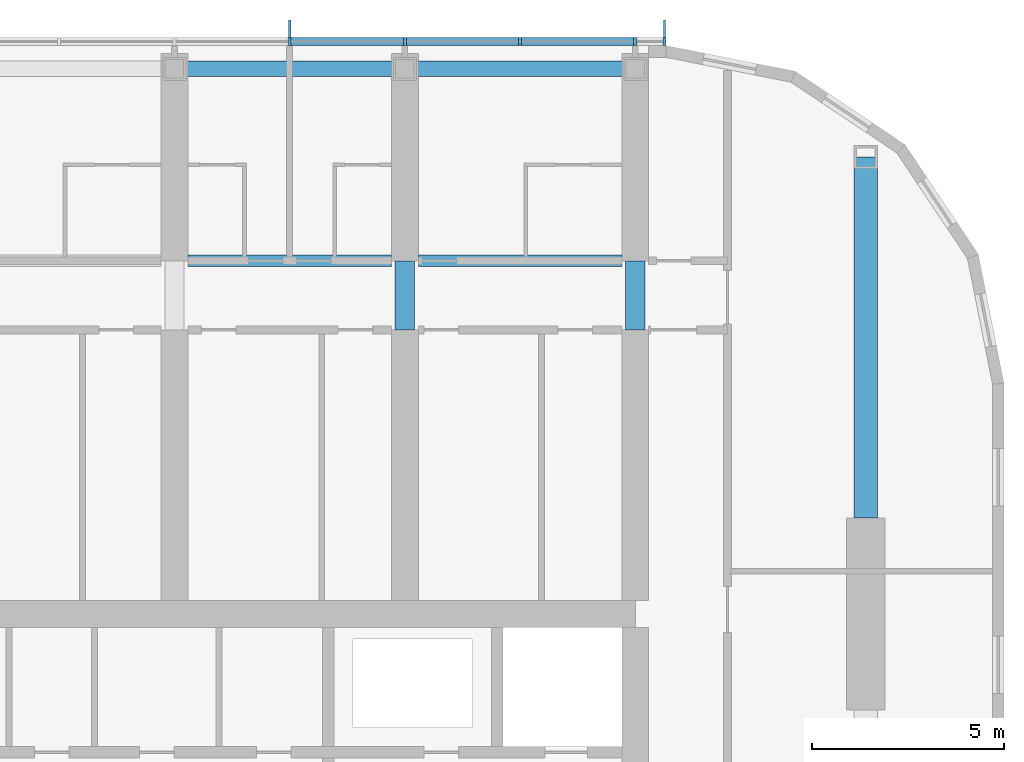
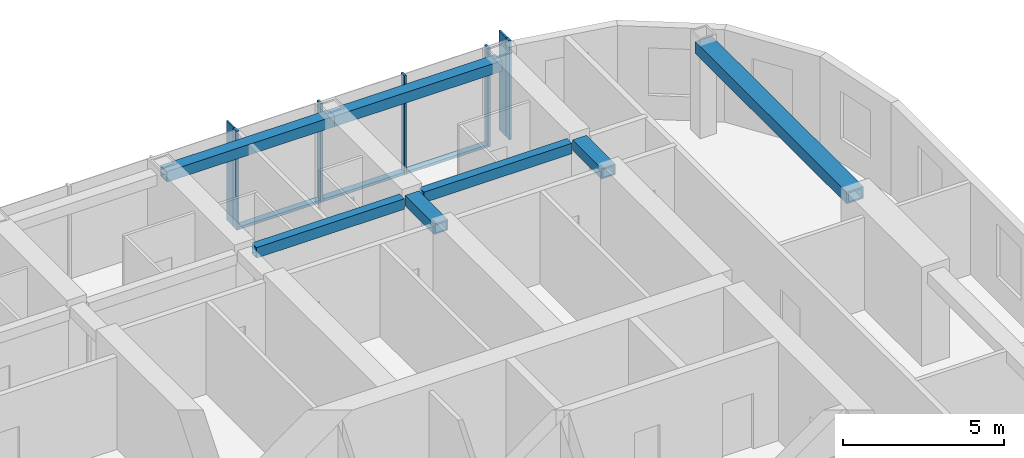
# One storey, part 5 of 23: 10 members, 7 beams, 1 element without a shape of its own.
"""IFC4 building model written with IfcOpenShell, lengths in metres."""

from ifc_helpers import new_model, si_unit, direction, frame, origin, origin_2d, place, context, subcontext, project, spatial, rectangle, hollow_rectangle, extrude, material, material_profile, profile_set, type_object, element, aggregate, save


model = new_model("IFC4")

# Units and contexts
model_context = context("Model", 3, precision=1e-05, world=origin(), true_north=direction((0.0, 1.0)))
body_context = subcontext(model_context, "Body", "Model", "MODEL_VIEW")
ifc_project = project(units=[si_unit("LENGTHUNIT", "METRE"), si_unit("AREAUNIT", "SQUARE_METRE"), si_unit("VOLUMEUNIT", "CUBIC_METRE"), si_unit("PLANEANGLEUNIT", "RADIAN"), si_unit("MASSUNIT", "GRAM", prefix="KILO")], contexts=[model_context])

# Site, building, storey
site_placement = place(None, origin())
site = spatial("IfcSite", under=ifc_project, at=site_placement, CompositionType="ELEMENT")
building_placement = place(site_placement, origin())
building = spatial("IfcBuilding", under=site, at=building_placement, Name="Orbita Commons", CompositionType="ELEMENT")
storey_placement = place(building_placement, frame((0.0, 0.0, 220.300048828125)))
storey = spatial("IfcBuildingStorey", under=building, at=storey_placement, Name="L54", CompositionType="ELEMENT", Elevation=220.300048828125)

# Curtain wall, members
ifc_material_1 = material(Name="Anodised aluminium frame, pale silver", Category="aluminium")
curtain_wall_type = type_object("IfcCurtainWallType", Name="Unitised curtain wall CW-U, full-height vision", PredefinedType="NOTDEFINED", material=ifc_material_1)
curtain_wall_placement = place(storey_placement, origin())
curtain_wall = element("IfcCurtainWall", 1, at=curtain_wall_placement, inside=storey, type_object=curtain_wall_type, Name="Curtain wall north L54", PredefinedType="NOTDEFINED")
ifc_material_2 = material(Name="Anodised aluminium, pale silver", Category="aluminium")
ifc_material_profile_1 = material_profile(ifc_material_2, rectangle(XDim=0.080078125, YDim=0.219970703125, at=origin_2d()), Name="AL 80x220")
ifc_profile_set_1 = profile_set([ifc_material_profile_1], Name="Anodised aluminium, pale silver")
member_type_1 = type_object("IfcMemberType", Name="Curtain wall mullion 80x220", PredefinedType="MULLION", material=ifc_profile_set_1)
member_1_placement = place(storey_placement, frame((66.760009765625, 53.110107421875, -0.25), z_axis=(0.0, 0.0, 1.0), x_axis=(-1.0, 0.0, 0.0)))
member_1 = element("IfcMember", 2, at=member_1_placement, type_object=member_type_1, Name="Mullion 1 CW-L54-N", PredefinedType="MULLION", context=body_context, shape_type="SweptSolid", body=[
    extrude(rectangle(XDim=0.080078125, YDim=0.219970703125, at=origin_2d()), origin(), (0.0, 0.0, 1.0), 3.75),
])
member_2_placement = place(storey_placement, frame((66.0, 53.110107421875, -0.25), z_axis=(0.0, 0.0, 1.0), x_axis=(-1.0, 0.0, 0.0)))
member_2 = element("IfcMember", 3, at=member_2_placement, type_object=member_type_1, Name="Mullion 2 CW-L54-N", PredefinedType="MULLION", context=body_context, shape_type="SweptSolid", body=[
    extrude(rectangle(XDim=0.080078125, YDim=0.219970703125, at=origin_2d()), origin(), (0.0, 0.0, 1.0), 3.75),
])
member_3_placement = place(storey_placement, frame((63.0, 53.110107421875, -0.25), z_axis=(0.0, 0.0, 1.0), x_axis=(-1.0, 0.0, 0.0)))
member_3 = element("IfcMember", 4, at=member_3_placement, type_object=member_type_1, Name="Mullion 3 CW-L54-N", PredefinedType="MULLION", context=body_context, shape_type="SweptSolid", body=[
    extrude(rectangle(XDim=0.080078125, YDim=0.219970703125, at=origin_2d()), origin(), (0.0, 0.0, 1.0), 3.75),
])
member_4_placement = place(storey_placement, frame((60.0, 53.110107421875, -0.25), z_axis=(0.0, 0.0, 1.0), x_axis=(-1.0, 0.0, 0.0)))
member_4 = element("IfcMember", 5, at=member_4_placement, type_object=member_type_1, Name="Mullion 4 CW-L54-N", PredefinedType="MULLION", context=body_context, shape_type="SweptSolid", body=[
    extrude(rectangle(XDim=0.080078125, YDim=0.219970703125, at=origin_2d()), origin(), (0.0, 0.0, 1.0), 3.75),
])
member_5_placement = place(storey_placement, frame((57.0, 53.110107421875, -0.25), z_axis=(0.0, 0.0, 1.0), x_axis=(-1.0, 0.0, 0.0)))
member_5 = element("IfcMember", 6, at=member_5_placement, type_object=member_type_1, Name="Mullion 5 CW-L54-N", PredefinedType="MULLION", context=body_context, shape_type="SweptSolid", body=[
    extrude(rectangle(XDim=0.080078125, YDim=0.219970703125, at=origin_2d()), origin(), (0.0, 0.0, 1.0), 3.75),
])
ifc_material_3 = material(Name="Anodised aluminium, pale silver", Category="aluminium")
ifc_material_profile_2 = material_profile(ifc_material_3, rectangle(XDim=0.219970703125, YDim=0.10009765625, at=origin_2d()), Name="AL 220x100")
ifc_profile_set_2 = profile_set([ifc_material_profile_2], Name="Anodised aluminium, pale silver")
member_type_2 = type_object("IfcMemberType", Name="Curtain wall stack transom 220x100", PredefinedType="USERDEFINED", material=ifc_profile_set_2)
member_6_placement = place(storey_placement, frame((65.9599609375, 53.110107421875, -0.199951171875), z_axis=(-1.0, 0.0, 0.0), x_axis=(0.0, -1.0, 0.0)))
member_6 = element("IfcMember", 7, at=member_6_placement, type_object=member_type_2, Name="Transom 2.1 CW-L54-N", ObjectType="TRANSOM", PredefinedType="USERDEFINED", context=body_context, shape_type="SweptSolid", body=[
    extrude(rectangle(XDim=0.219970703125, YDim=0.10009765625, at=origin_2d()), origin(), (0.0, 0.0, 1.0), 2.919921875),
])
member_7_placement = place(storey_placement, frame((62.9599609375, 53.110107421875, -0.199951171875), z_axis=(-1.0, 0.0, 0.0), x_axis=(0.0, -1.0, 0.0)))
member_7 = element("IfcMember", 8, at=member_7_placement, type_object=member_type_2, Name="Transom 3.1 CW-L54-N", ObjectType="TRANSOM", PredefinedType="USERDEFINED", context=body_context, shape_type="SweptSolid", body=[
    extrude(rectangle(XDim=0.219970703125, YDim=0.10009765625, at=origin_2d()), origin(), (0.0, 0.0, 1.0), 2.919921875),
])
member_8_placement = place(storey_placement, frame((59.9599609375, 53.110107421875, -0.199951171875), z_axis=(-1.0, 0.0, 0.0), x_axis=(0.0, -1.0, 0.0)))
member_8 = element("IfcMember", 9, at=member_8_placement, type_object=member_type_2, Name="Transom 4.1 CW-L54-N", ObjectType="TRANSOM", PredefinedType="USERDEFINED", context=body_context, shape_type="SweptSolid", body=[
    extrude(rectangle(XDim=0.219970703125, YDim=0.10009765625, at=origin_2d()), origin(), (0.0, 0.0, 1.0), 2.919921875),
])

# Beams
ifc_material_4 = material(Name="Steel ASTM A572 Gr 50 welded plate", Category="steel")
ifc_material_profile_3 = material_profile(ifc_material_4, hollow_rectangle(XDim=0.300048828125, YDim=0.39990234375, WallThickness=0.0400390625, at=origin_2d()), Name="BOX 400x300x40")
ifc_profile_set_3 = profile_set([ifc_material_profile_3], Name="Steel ASTM A572 Gr 50 welded plate")
beam_type_1 = type_object("IfcBeamType", Name="Steel corridor link BOX 400x300x40", PredefinedType="BEAM", material=ifc_profile_set_3)
for number, where, z_axis, x_axis, name in (
    (10, (54.35009765625, 47.39990234375, 3.300048828125), (1.0, 0.0, 0.0), (0.0, 1.0, 0.0), "Corridor beam NB 10-11 L54"),
    (11, (60.35009765625, 47.39990234375, 3.300048828125), (1.0, 0.0, 0.0), (0.0, 1.0, 0.0), "Corridor beam NB 11-12 L54"),
):
    element("IfcBeam", number, at=place(storey_placement, frame(where, z_axis=z_axis, x_axis=x_axis)), inside=storey, type_object=beam_type_1, Name=name, PredefinedType="BEAM", context=body_context, shape_type="SweptSolid", body=[
        extrude(hollow_rectangle(XDim=0.300048828125, YDim=0.39990234375, WallThickness=0.0400390625, at=origin_2d()), origin(), (0.0, 0.0, 1.0), 5.2998046875),
    ])
ifc_material_5 = material(Name="Steel ASTM A572 Gr 50 welded plate", Category="steel")
ifc_material_profile_4 = material_profile(ifc_material_5, hollow_rectangle(XDim=0.5, YDim=0.39990234375, WallThickness=0.050048828125, at=origin_2d()), Name="BOX 400x500x50")
ifc_profile_set_4 = profile_set([ifc_material_profile_4], Name="Steel ASTM A572 Gr 50 welded plate")
beam_type_2 = type_object("IfcBeamType", Name="Steel coupling link BOX 400x500x50", PredefinedType="LINTEL", material=ifc_profile_set_4)
for number, where, z_axis, x_axis, name in (
    (12, (60.0, 45.60009765625, 3.300048828125), (0.0, 1.0, 0.0), (-1.0, 0.0, 0.0), "Coupling beam 11 north L54"),
    (13, (66.0, 45.60009765625, 3.300048828125), (0.0, 1.0, 0.0), (-1.0, 0.0, 0.0), "Coupling beam 12 north L54"),
):
    element("IfcBeam", number, at=place(storey_placement, frame(where, z_axis=z_axis, x_axis=x_axis)), inside=storey, type_object=beam_type_2, Name=name, PredefinedType="LINTEL", context=body_context, shape_type="SweptSolid", body=[
        extrude(hollow_rectangle(XDim=0.5, YDim=0.39990234375, WallThickness=0.050048828125, at=origin_2d()), origin(), (0.0, 0.0, 1.0), 1.7998046875),
    ])
ifc_material_6 = material(Name="Steel ASTM A572 Gr 50 welded plate", Category="steel")
ifc_material_profile_5 = material_profile(ifc_material_6, hollow_rectangle(XDim=0.60009765625, YDim=0.449951171875, WallThickness=0.06005859375, at=origin_2d()), Name="BOX 450x600x60")
ifc_profile_set_5 = profile_set([ifc_material_profile_5], Name="Steel ASTM A572 Gr 50 welded plate")
beam_type_3 = type_object("IfcBeamType", Name="Steel end frame link BOX 450x600x60", PredefinedType="BEAM", material=ifc_profile_set_5)
beam_placement = place(storey_placement, frame((72.0, 40.699951171875, 3.27490234375), z_axis=(0.0, 1.0, 0.0), x_axis=(-1.0, 0.0, 0.0)))
element("IfcBeam", 14, at=beam_placement, inside=storey, type_object=beam_type_3, Name="End frame beam 13 D-E L54", PredefinedType="BEAM", context=body_context, shape_type="SweptSolid", body=[
    extrude(hollow_rectangle(XDim=0.60009765625, YDim=0.449951171875, WallThickness=0.06005859375, at=origin_2d()), origin(), (0.0, 0.0, 1.0), 9.400146484375),
])
ifc_material_7 = material(Name="Steel ASTM A572 Gr 50 welded plate", Category="steel")
ifc_material_profile_6 = material_profile(ifc_material_7, hollow_rectangle(XDim=0.39990234375, YDim=0.39990234375, WallThickness=0.0400390625, at=origin_2d()), Name="BOX 400x400x40")
ifc_profile_set_6 = profile_set([ifc_material_profile_6], Name="Steel ASTM A572 Gr 50 welded plate")
beam_type_4 = type_object("IfcBeamType", Name="Steel spandrel BOX 400x400x40", PredefinedType="SPANDREL", material=ifc_profile_set_6)
for number, where, z_axis, x_axis, name in (
    (15, (54.0, 52.39990234375, 3.300048828125), (1.0, 0.0, 0.0), (0.0, 1.0, 0.0), "Spandrel beam E 10-11 L54"),
    (16, (60.0, 52.39990234375, 3.300048828125), (1.0, 0.0, 0.0), (0.0, 1.0, 0.0), "Spandrel beam E 11-12 L54"),
):
    element("IfcBeam", number, at=place(storey_placement, frame(where, z_axis=z_axis, x_axis=x_axis)), inside=storey, type_object=beam_type_4, Name=name, PredefinedType="SPANDREL", context=body_context, shape_type="SweptSolid", body=[
        extrude(hollow_rectangle(XDim=0.39990234375, YDim=0.39990234375, WallThickness=0.0400390625, at=origin_2d()), origin(), (0.0, 0.0, 1.0), 6.0),
    ])

# Member
ifc_material_8 = material(Name="Anodised aluminium, pale silver", Category="aluminium")
ifc_material_profile_7 = material_profile(ifc_material_8, rectangle(XDim=0.06005859375, YDim=0.449951171875, at=origin_2d()), Name="FIN 60x450")
ifc_profile_set_7 = profile_set([ifc_material_profile_7], Name="Anodised aluminium, pale silver")
member_type_3 = type_object("IfcMemberType", Name="Vertical fin 60x450 pale aluminium", PredefinedType="USERDEFINED", material=ifc_profile_set_7)
member_9_placement = place(storey_placement, frame((66.760009765625, 53.445068359375, -0.25), z_axis=(0.0, 0.0, 1.0), x_axis=(-1.0, 0.0, 0.0)))
member_9 = element("IfcMember", 17, at=member_9_placement, type_object=member_type_3, Name="Fin 1 CW-L54-N", ObjectType="FIN", PredefinedType="USERDEFINED", context=body_context, shape_type="SweptSolid", body=[
    extrude(rectangle(XDim=0.06005859375, YDim=0.449951171875, at=origin_2d()), origin(), (0.0, 0.0, 1.0), 3.75),
])

member_10_placement = place(storey_placement, frame((57.0, 53.445068359375, -0.25), z_axis=(0.0, 0.0, 1.0), x_axis=(-1.0, 0.0, 0.0)))
member_10 = element("IfcMember", 18, at=member_10_placement, type_object=member_type_3, Name="Fin 5 CW-L54-N", ObjectType="FIN", PredefinedType="USERDEFINED", context=body_context, shape_type="SweptSolid", body=[
    extrude(rectangle(XDim=0.06005859375, YDim=0.449951171875, at=origin_2d()), origin(), (0.0, 0.0, 1.0), 3.75),
])

aggregate(curtain_wall, [member_1, member_9, member_2, member_3, member_4, member_5, member_10, member_6, member_7, member_8])

save(model, "model.ifc")
